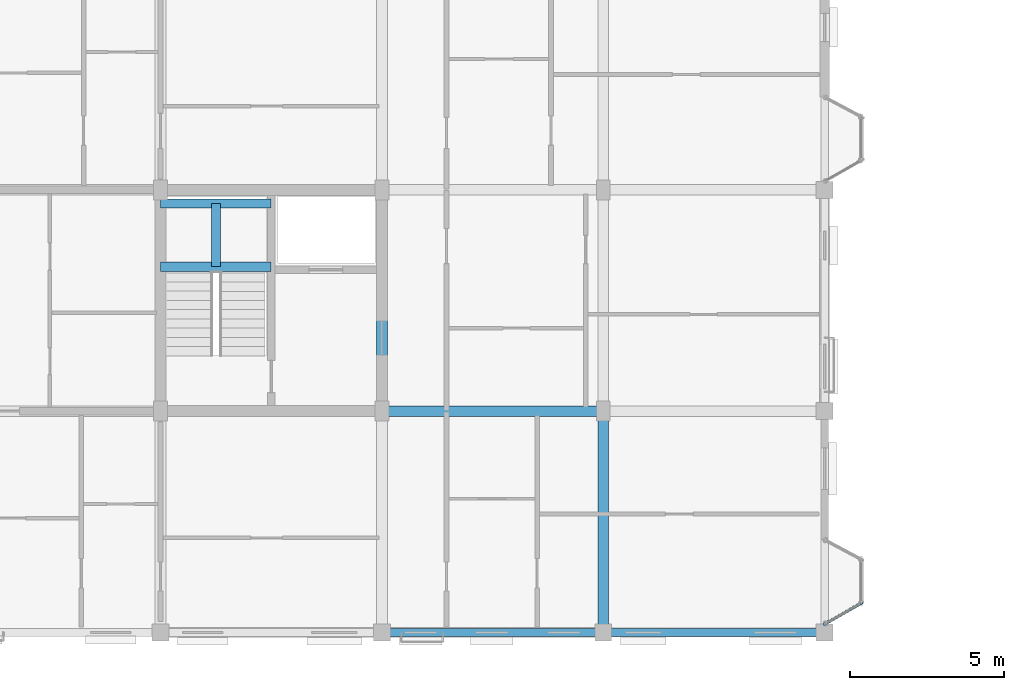
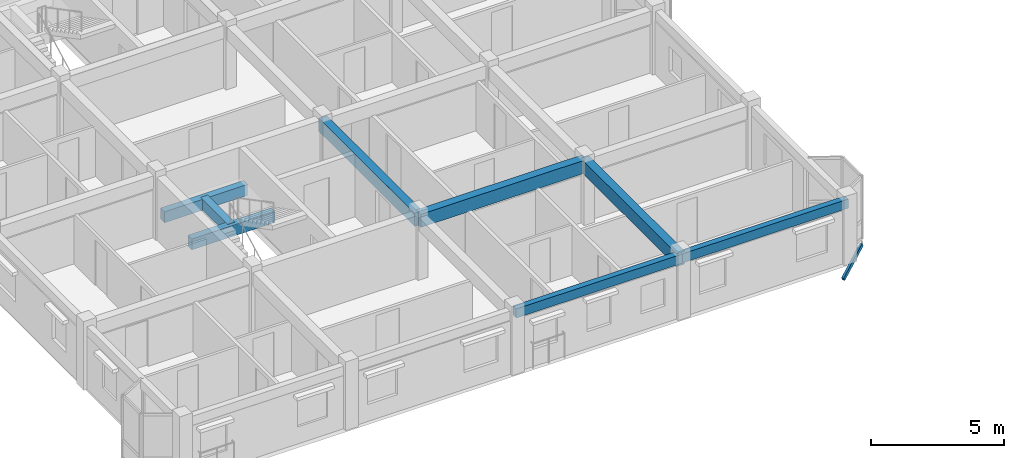
# One storey, part 5 of 75: 8 beams, 1 member.
"""IFC4 building model written with IfcOpenShell, lengths in metres."""

from ifc_helpers import new_model, si_unit, direction, frame, origin, origin_2d, place, context, subcontext, project, spatial, rectangle, hollow_rectangle, extrude, material, material_profile, profile_set, type_object, element, save


model = new_model("IFC4")

# Units and contexts
model_context = context("Model", 3, precision=1e-05, world=origin(), true_north=direction((0.0, 1.0)))
body_context = subcontext(model_context, "Body", "Model", "MODEL_VIEW")
ifc_project = project(units=[si_unit("LENGTHUNIT", "METRE"), si_unit("AREAUNIT", "SQUARE_METRE"), si_unit("VOLUMEUNIT", "CUBIC_METRE"), si_unit("PLANEANGLEUNIT", "RADIAN"), si_unit("MASSUNIT", "GRAM", prefix="KILO"), si_unit("THERMODYNAMICTEMPERATUREUNIT", "KELVIN"), si_unit("POWERUNIT", "WATT")], contexts=[model_context])

# Site, building, storey
site_placement = place(None, origin())
site = spatial("IfcSite", under=ifc_project, at=site_placement, CompositionType="ELEMENT")
building_placement = place(site_placement, origin())
building = spatial("IfcBuilding", under=site, at=building_placement, Name="Tavuni Mirador Residences", CompositionType="ELEMENT")
storey_placement = place(building_placement, frame((0.0, 0.0, 20.25)))
storey = spatial("IfcBuildingStorey", under=building, at=storey_placement, Name="L06", CompositionType="ELEMENT", Elevation=20.25)

# Beams
ifc_material_1 = material(Name="Precast concrete C40/50", Category="concrete")
ifc_material_profile_1 = material_profile(ifc_material_1, rectangle(XDim=0.300048828125, YDim=0.5, at=origin_2d()), Name="PC 300x500", Category="concrete")
ifc_profile_set_1 = profile_set([ifc_material_profile_1], Name="Precast concrete C40/50")
beam_type_1 = type_object("IfcBeamType", Name="BT-B500", PredefinedType="BEAM", material=ifc_profile_set_1)
for number, where, z_axis, x_axis, name in (
    (1, (10.800048828125, 19.10009765625, 1.14501953125), (1.0, 0.0, 0.0), (0.0, 1.0, 0.0), "HLB1-C1-L06"),
    (2, (10.800048828125, 21.14990234375, 1.14501953125), (1.0, 0.0, 0.0), (0.0, 1.0, 0.0), "HLB2-C1-L06"),
):
    element("IfcBeam", number, at=place(storey_placement, frame(where, z_axis=z_axis, x_axis=x_axis)), inside=storey, type_object=beam_type_1, Name=name, PredefinedType="BEAM", context=body_context, shape_type="SweptSolid", body=[
        extrude(rectangle(XDim=0.300048828125, YDim=0.5, at=origin_2d()), origin(), (0.0, 0.0, 1.0), 3.599853515625),
    ])
beam_1_placement = place(storey_placement, frame((12.60009765625, 19.10009765625, 1.14501953125), z_axis=(0.0, 1.0, 0.0), x_axis=(-1.0, 0.0, 0.0)))
element("IfcBeam", 3, at=beam_1_placement, inside=storey, type_object=beam_type_1, Name="HLB3-C1-L06", PredefinedType="BEAM", context=body_context, shape_type="SweptSolid", body=[
    extrude(rectangle(XDim=0.300048828125, YDim=0.5, at=origin_2d()), origin(), (0.0, 0.0, 1.0), 2.0498046875),
])
ifc_material_profile_2 = material_profile(ifc_material_1, rectangle(XDim=0.35009765625, YDim=0.60009765625, at=origin_2d()), Name="PC 350x600", Category="concrete")
ifc_profile_set_2 = profile_set([ifc_material_profile_2], Name="Precast concrete C40/50")
beam_type_2 = type_object("IfcBeamType", Name="BT-B600", PredefinedType="BEAM", material=ifc_profile_set_2)
beam_2_placement = place(storey_placement, frame((18.0, 14.39990234375, 2.570068359375), z_axis=(1.0, 0.0, 0.0), x_axis=(0.0, 1.0, 0.0)))
element("IfcBeam", 4, at=beam_2_placement, inside=storey, type_object=beam_type_2, Name="BMX-BLK-A-L06-02-01", PredefinedType="BEAM", context=body_context, shape_type="SweptSolid", body=[
    extrude(rectangle(XDim=0.35009765625, YDim=0.60009765625, at=origin_2d()), origin(), (0.0, 0.0, 1.0), 7.199951171875),
])
beam_3_placement = place(storey_placement, frame((18.0, 14.39990234375, 2.570068359375), z_axis=(0.0, 1.0, 0.0), x_axis=(-1.0, 0.0, 0.0)))
element("IfcBeam", 5, at=beam_3_placement, inside=storey, type_object=beam_type_2, Name="BMY-BLK-A-L06-02-01", PredefinedType="BEAM", context=body_context, shape_type="SweptSolid", body=[
    extrude(rectangle(XDim=0.35009765625, YDim=0.60009765625, at=origin_2d()), origin(), (0.0, 0.0, 1.0), 7.2001953125),
])
beam_4_placement = place(storey_placement, frame((25.199951171875, 7.199951171875, 2.570068359375), z_axis=(0.0, 1.0, 0.0), x_axis=(-1.0, 0.0, 0.0)))
element("IfcBeam", 6, at=beam_4_placement, inside=storey, type_object=beam_type_2, Name="BMY-BLK-A-L06-03-00", PredefinedType="BEAM", context=body_context, shape_type="SweptSolid", body=[
    extrude(rectangle(XDim=0.35009765625, YDim=0.60009765625, at=origin_2d()), origin(), (0.0, 0.0, 1.0), 7.199951171875),
])
ifc_material_profile_3 = material_profile(ifc_material_1, rectangle(XDim=0.25, YDim=0.419921875, at=origin_2d()), Name="PC 250x420", Category="concrete")
ifc_profile_set_3 = profile_set([ifc_material_profile_3], Name="Precast concrete C40/50")
beam_type_3 = type_object("IfcBeamType", Name="BT-SP420", PredefinedType="SPANDREL", material=ifc_profile_set_3)
for number, where, z_axis, x_axis, name in (
    (7, (18.0, 7.199951171875, 2.659912109375), (1.0, 0.0, 0.0), (0.0, 1.0, 0.0), "BMX-BLK-A-L06-02-00"),
    (8, (25.199951171875, 7.199951171875, 2.659912109375), (1.0, 0.0, 0.0), (0.0, 1.0, 0.0), "BMX-BLK-A-L06-03-00"),
):
    element("IfcBeam", number, at=place(storey_placement, frame(where, z_axis=z_axis, x_axis=x_axis)), inside=storey, type_object=beam_type_3, Name=name, PredefinedType="SPANDREL", context=body_context, shape_type="SweptSolid", body=[
        extrude(rectangle(XDim=0.25, YDim=0.419921875, at=origin_2d()), origin(), (0.0, 0.0, 1.0), 7.199951171875),
    ])

# Member
ifc_material_2 = material(Name="Structural steel S355", Category="steel")
ifc_material_profile_4 = material_profile(ifc_material_2, hollow_rectangle(XDim=0.10009765625, YDim=0.179931640625, WallThickness=0.008056640625, at=origin_2d()), Name="RHS 180x100x8.0", Category="steel")
ifc_profile_set_4 = profile_set([ifc_material_profile_4], Name="Structural steel S355")
member_type = type_object("IfcMemberType", Name="MT-BR-RHS180", PredefinedType="BRACE", material=ifc_profile_set_4)
member_placement = place(storey_placement, frame((32.39990234375, 7.47509765625, -1.050048828125), z_axis=(0.758710666466, 0.432909564572, 0.486772465833), x_axis=(-0.495587053321, 0.868558272415, 0.0)))
element("IfcMember", 9, at=member_placement, inside=storey, type_object=member_type, Name="MBRK-MIR-A-E1-L06-1", PredefinedType="BRACE", context=body_context, shape_type="SweptSolid", body=[
    extrude(hollow_rectangle(XDim=0.10009765625, YDim=0.179931640625, WallThickness=0.008056640625, at=origin_2d()), origin(), (0.0, 0.0, 1.0), 1.581787109375),
])

save(model, "model.ifc")
